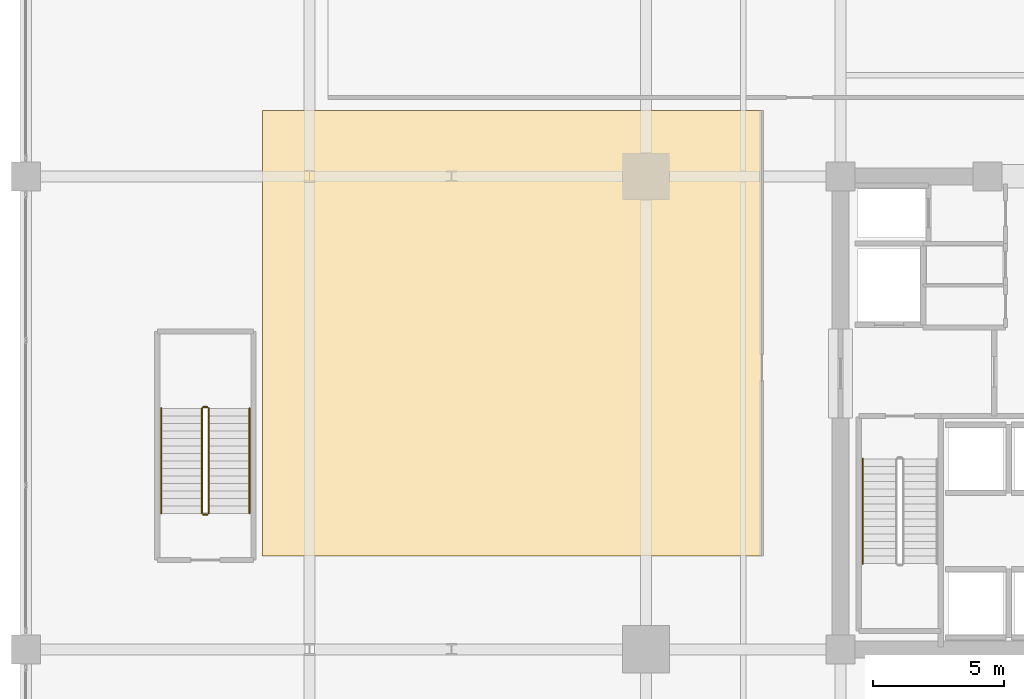
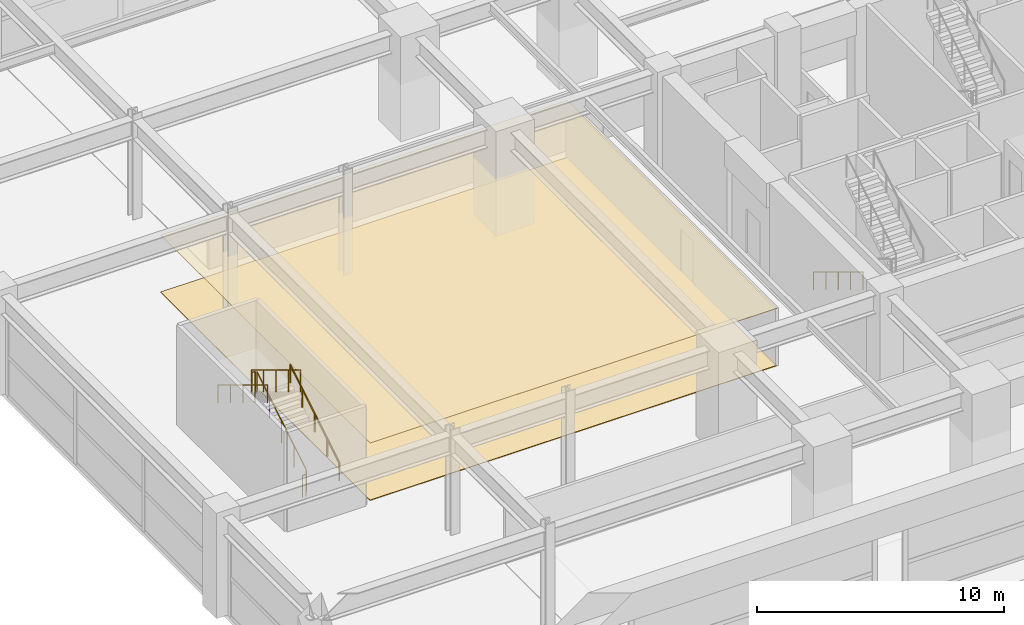
# One storey, part 39 of 43: 7 railings, 2 coverings.
"""IFC4 building model written with IfcOpenShell, lengths in metres."""

from ifc_helpers import new_model, si_unit, direction, frame, origin, origin_2d, place, context, subcontext, project, spatial, polyline, circle, outline, extrude, material, layer, layer_set, type_object, element, save


model = new_model("IFC4")

# Units and contexts
model_context = context("Model", 3, precision=1e-05, world=origin(), true_north=direction((0.0, 1.0)))
body_context = subcontext(model_context, "Body", "Model", "MODEL_VIEW")
ifc_project = project(units=[si_unit("LENGTHUNIT", "METRE"), si_unit("AREAUNIT", "SQUARE_METRE"), si_unit("VOLUMEUNIT", "CUBIC_METRE"), si_unit("PLANEANGLEUNIT", "RADIAN"), si_unit("MASSUNIT", "GRAM", prefix="KILO")], contexts=[model_context])

# Site, building, storey
site_placement = place(None, origin())
site = spatial("IfcSite", under=ifc_project, at=site_placement, CompositionType="ELEMENT")
building_placement = place(site_placement, origin())
building = spatial("IfcBuilding", under=site, at=building_placement, Name="Kovane Verandah Tower", CompositionType="ELEMENT")
storey_placement = place(building_placement, frame((0.0, 0.0, 11.199951171875)))
storey = spatial("IfcBuildingStorey", under=building, at=storey_placement, Name="L02", CompositionType="ELEMENT", Elevation=11.199951171875)

# Coverings
ifc_material_1 = material(Name="Perforated Acoustic Mineral-Fibre Ceiling Tile", Category="gypsum")
ifc_layer_1 = layer(ifc_material_1, 0.02490234375)
ifc_layer_set_1 = layer_set([ifc_layer_1], Name="Perforated Acoustic Mineral-Fibre Ceiling Tile")
covering_type_1 = type_object("IfcCoveringType", Name="CV-CEIL-25", PredefinedType="CEILING", material=ifc_layer_set_1)
covering_1_placement = place(storey_placement, frame((0.0, 0.0, 2.824951171875)))
element("IfcCovering", 1, at=covering_1_placement, inside=storey, type_object=covering_type_1, Name="L02 West Client Advisory Suite Acoustic Ceiling", PredefinedType="CEILING", context=body_context, shape_type="SweptSolid", body=[
    extrude(outline(polyline([(7.0, 22.050048828125), (26.0, 22.050048828125), (26.0, 39.0), (7.0, 39.0), (7.0, 22.050048828125)])), origin(), (0.0, 0.0, 1.0), 0.025146484375),
])
ifc_material_2 = material(Name="Polished Terrazzo and Raised-Access Carpet Tile Finish", Category="concrete")
ifc_layer_2 = layer(ifc_material_2, 0.030029296875)
ifc_layer_set_2 = layer_set([ifc_layer_2], Name="Polished Terrazzo and Raised-Access Carpet Tile Finish")
covering_type_2 = type_object("IfcCoveringType", Name="CV-FLOR-30", PredefinedType="FLOORING", material=ifc_layer_set_2)
covering_2_placement = place(storey_placement, origin())
element("IfcCovering", 2, at=covering_2_placement, inside=storey, type_object=covering_type_2, Name="L02 West Client Advisory Suite Floor Finish", PredefinedType="FLOORING", context=body_context, shape_type="SweptSolid", body=[
    extrude(outline(polyline([(7.0, 22.050048828125), (26.0, 22.050048828125), (26.0, 39.0), (7.0, 39.0), (7.0, 22.050048828125)])), origin(), (0.0, 0.0, 1.0), 0.030029296875),
])

# Railings
ifc_material_3 = material(Name="Brushed Stainless Steel Handrail", Category="steel")
railing_type_1 = type_object("IfcRailingType", Name="RL-HAND-920", PredefinedType="HANDRAIL", material=ifc_material_3)
railing_1_placement = place(storey_placement, frame((29.85009765625, 25.75, 0.17333984375)))
element("IfcRailing", 3, at=railing_1_placement, inside=storey, type_object=railing_type_1, Name="L02 ST-01 stair handrail 1", PredefinedType="HANDRAIL", context=body_context, shape_type="SweptSolid", body=[
    extrude(circle(Radius=0.02392578125, at=origin_2d()), frame((0.0, 0.0, 0.8759765625), z_axis=(0.0, -0.854382233033, 0.519645071061), x_axis=(1.0, 0.0, 0.0)), (0.0, 0.0, 1.0), 4.669921875),
    extrude(circle(Radius=0.02099609375, at=origin_2d()), origin(), (0.0, 0.0, 1.0), 0.851806640625),
    extrude(circle(Radius=0.02099609375, at=origin_2d()), frame((0.0, -0.99755859375, 0.606689453125)), (0.0, 0.0, 1.0), 0.851806640625),
    extrude(circle(Radius=0.02099609375, at=origin_2d()), frame((0.0, -1.9951171875, 1.21337890625)), (0.0, 0.0, 1.0), 0.851806640625),
    extrude(circle(Radius=0.02099609375, at=origin_2d()), frame((0.0, -2.992431640625, 1.820068359375)), (0.0, 0.0, 1.0), 0.851806640625),
    extrude(circle(Radius=0.02099609375, at=origin_2d()), frame((0.0, -3.989990234375, 2.4267578125)), (0.0, 0.0, 1.0), 0.851806640625),
])
railing_2_placement = place(storey_placement, frame((6.510009765625, 23.679931640625, 0.17333984375)))
element("IfcRailing", 4, at=railing_2_placement, inside=storey, type_object=railing_type_1, Name="L02 ST-04 stair handrail 1", PredefinedType="HANDRAIL", context=body_context, shape_type="SweptSolid", body=[
    extrude(circle(Radius=0.02392578125, at=origin_2d()), frame((0.0, 0.0, 0.8759765625), z_axis=(0.0, 0.854382233033, 0.519645071061), x_axis=(-1.0, 0.0, 0.0)), (0.0, 0.0, 1.0), 4.669921875),
    extrude(circle(Radius=0.02099609375, at=origin_2d()), origin(), (0.0, 0.0, 1.0), 0.851806640625),
    extrude(circle(Radius=0.02099609375, at=origin_2d()), frame((0.0, 0.99755859375, 0.606689453125)), (0.0, 0.0, 1.0), 0.851806640625),
    extrude(circle(Radius=0.02099609375, at=origin_2d()), frame((0.0, 1.9951171875, 1.21337890625)), (0.0, 0.0, 1.0), 0.851806640625),
    extrude(circle(Radius=0.02099609375, at=origin_2d()), frame((0.0, 2.992431640625, 1.820068359375)), (0.0, 0.0, 1.0), 0.851806640625),
    extrude(circle(Radius=0.02099609375, at=origin_2d()), frame((0.0, 3.989990234375, 2.4267578125)), (0.0, 0.0, 1.0), 0.851806640625),
])
railing_3_placement = place(storey_placement, frame((3.14990234375, 27.669921875, 2.7734375)))
element("IfcRailing", 5, at=railing_3_placement, inside=storey, type_object=railing_type_1, Name="L02 ST-04 stair handrail 2", PredefinedType="HANDRAIL", context=body_context, shape_type="SweptSolid", body=[
    extrude(circle(Radius=0.02392578125, at=origin_2d()), frame((0.0, 0.0, 0.8759765625), z_axis=(0.0, -0.854405443041, 0.519606908058), x_axis=(1.0, 0.0, 0.0)), (0.0, 0.0, 1.0), 4.669921875),
    extrude(circle(Radius=0.02099609375, at=origin_2d()), origin(), (0.0, 0.0, 1.0), 0.851806640625),
    extrude(circle(Radius=0.02099609375, at=origin_2d()), frame((0.0, -0.99755859375, 0.606689453125)), (0.0, 0.0, 1.0), 0.851806640625),
    extrude(circle(Radius=0.02099609375, at=origin_2d()), frame((0.0, -1.9951171875, 1.21337890625)), (0.0, 0.0, 1.0), 0.851806640625),
    extrude(circle(Radius=0.02099609375, at=origin_2d()), frame((0.0, -2.992431640625, 1.81982421875)), (0.0, 0.0, 1.0), 0.851806640625),
    extrude(circle(Radius=0.02099609375, at=origin_2d()), frame((0.0, -3.989990234375, 2.426513671875)), (0.0, 0.0, 1.0), 0.851806640625),
])
ifc_material_4 = material(Name="Painted Steel Stairwell Guardrail", Category="steel")
railing_type_2 = type_object("IfcRailingType", Name="RL-STGUARD-1120", PredefinedType="GUARDRAIL", material=ifc_material_4)
railing_4_placement = place(storey_placement, frame((4.9599609375, 23.679931640625, 0.17333984375)))
element("IfcRailing", 6, at=railing_4_placement, inside=storey, type_object=railing_type_2, Name="L02 ST-04 stair guard 1", PredefinedType="GUARDRAIL", context=body_context, shape_type="SweptSolid", body=[
    extrude(circle(Radius=0.02392578125, at=origin_2d()), frame((0.0, 0.0, 1.076171875), z_axis=(0.0, 0.854382233033, 0.519645071061), x_axis=(-1.0, 0.0, 0.0)), (0.0, 0.0, 1.0), 4.669921875),
    extrude(circle(Radius=0.02099609375, at=origin_2d()), origin(), (0.0, 0.0, 1.0), 1.052001953125),
    extrude(circle(Radius=0.02099609375, at=origin_2d()), frame((0.0, 0.99755859375, 0.606689453125)), (0.0, 0.0, 1.0), 1.052001953125),
    extrude(circle(Radius=0.02099609375, at=origin_2d()), frame((0.0, 1.9951171875, 1.21337890625)), (0.0, 0.0, 1.0), 1.052001953125),
    extrude(circle(Radius=0.02099609375, at=origin_2d()), frame((0.0, 2.992431640625, 1.820068359375)), (0.0, 0.0, 1.0), 1.052001953125),
    extrude(circle(Radius=0.02099609375, at=origin_2d()), frame((0.0, 3.989990234375, 2.4267578125)), (0.0, 0.0, 1.0), 1.052001953125),
])
railing_5_placement = place(storey_placement, frame((4.909912109375, 27.719970703125, 2.60009765625)))
element("IfcRailing", 7, at=railing_5_placement, inside=storey, type_object=railing_type_2, Name="L02 ST-04 stair guard 2", PredefinedType="GUARDRAIL", context=body_context, shape_type="SweptSolid", body=[
    extrude(circle(Radius=0.02392578125, at=origin_2d()), frame((0.0, 0.0, 1.076171875), z_axis=(-1.0, 0.0, 0.0), x_axis=(0.0, -1.0, 0.0)), (0.0, 0.0, 1.0), 0.159912109375),
    extrude(circle(Radius=0.02099609375, at=origin_2d()), origin(), (0.0, 0.0, 1.0), 1.052001953125),
    extrude(circle(Radius=0.02099609375, at=origin_2d()), frame((-0.159912109375, 0.0, 0.0)), (0.0, 0.0, 1.0), 1.052001953125),
])
railing_6_placement = place(storey_placement, frame((4.699951171875, 27.669921875, 2.7734375)))
element("IfcRailing", 8, at=railing_6_placement, inside=storey, type_object=railing_type_2, Name="L02 ST-04 stair guard 3", PredefinedType="GUARDRAIL", context=body_context, shape_type="SweptSolid", body=[
    extrude(circle(Radius=0.02392578125, at=origin_2d()), frame((0.0, 0.0, 1.076171875), z_axis=(0.0, -0.854405443041, 0.519606908058), x_axis=(1.0, 0.0, 0.0)), (0.0, 0.0, 1.0), 4.669921875),
    extrude(circle(Radius=0.02099609375, at=origin_2d()), origin(), (0.0, 0.0, 1.0), 1.052001953125),
    extrude(circle(Radius=0.02099609375, at=origin_2d()), frame((0.0, -0.99755859375, 0.606689453125)), (0.0, 0.0, 1.0), 1.052001953125),
    extrude(circle(Radius=0.02099609375, at=origin_2d()), frame((0.0, -1.9951171875, 1.21337890625)), (0.0, 0.0, 1.0), 1.052001953125),
    extrude(circle(Radius=0.02099609375, at=origin_2d()), frame((0.0, -2.992431640625, 1.81982421875)), (0.0, 0.0, 1.0), 1.052001953125),
    extrude(circle(Radius=0.02099609375, at=origin_2d()), frame((0.0, -3.989990234375, 2.426513671875)), (0.0, 0.0, 1.0), 1.052001953125),
])
railing_7_placement = place(storey_placement, frame((4.909912109375, 23.6298828125, 0.0)))
element("IfcRailing", 9, at=railing_7_placement, inside=storey, type_object=railing_type_2, Name="L02 ST-04 stair guard 4", PredefinedType="GUARDRAIL", context=body_context, shape_type="SweptSolid", body=[
    extrude(circle(Radius=0.02392578125, at=origin_2d()), frame((0.0, 0.0, 1.076171875), z_axis=(-1.0, 0.0, 0.0), x_axis=(0.0, -1.0, 0.0)), (0.0, 0.0, 1.0), 0.159912109375),
    extrude(circle(Radius=0.02099609375, at=origin_2d()), origin(), (0.0, 0.0, 1.0), 1.052001953125),
    extrude(circle(Radius=0.02099609375, at=origin_2d()), frame((-0.159912109375, 0.0, 0.0)), (0.0, 0.0, 1.0), 1.052001953125),
])

save(model, "model.ifc")
